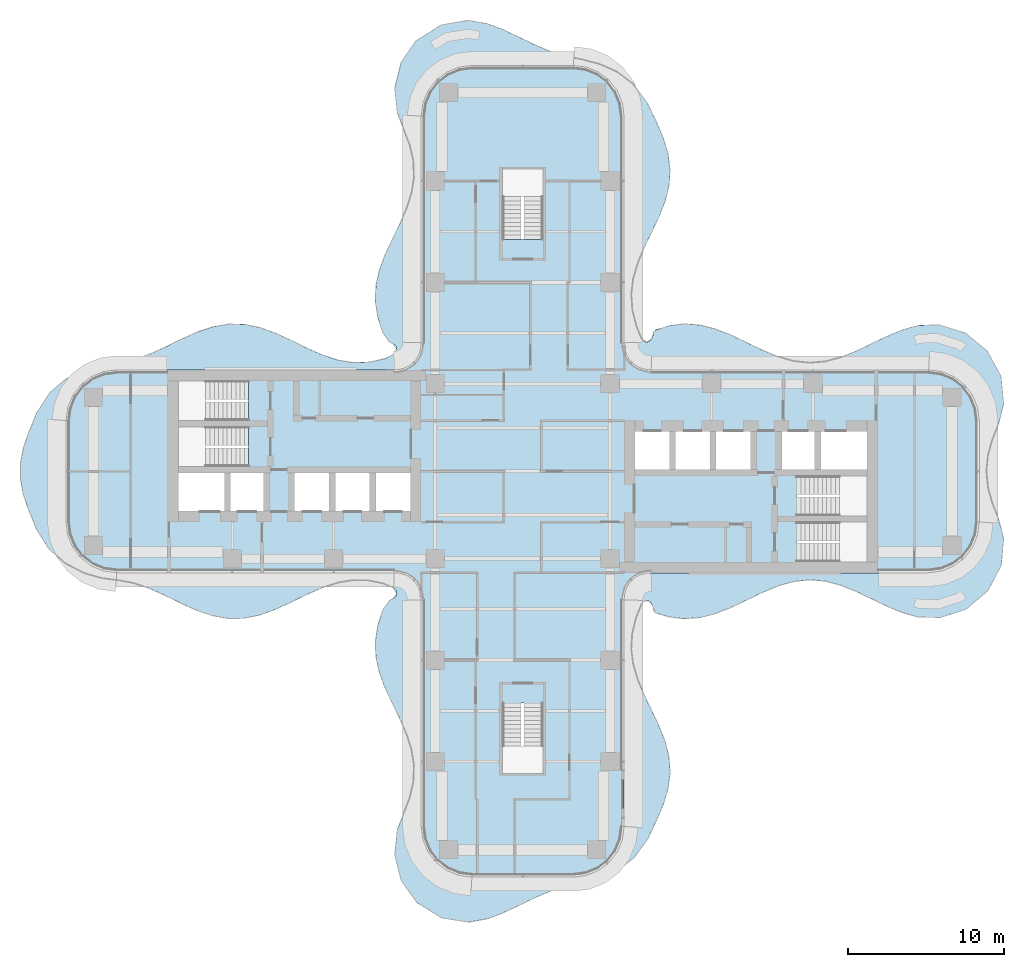
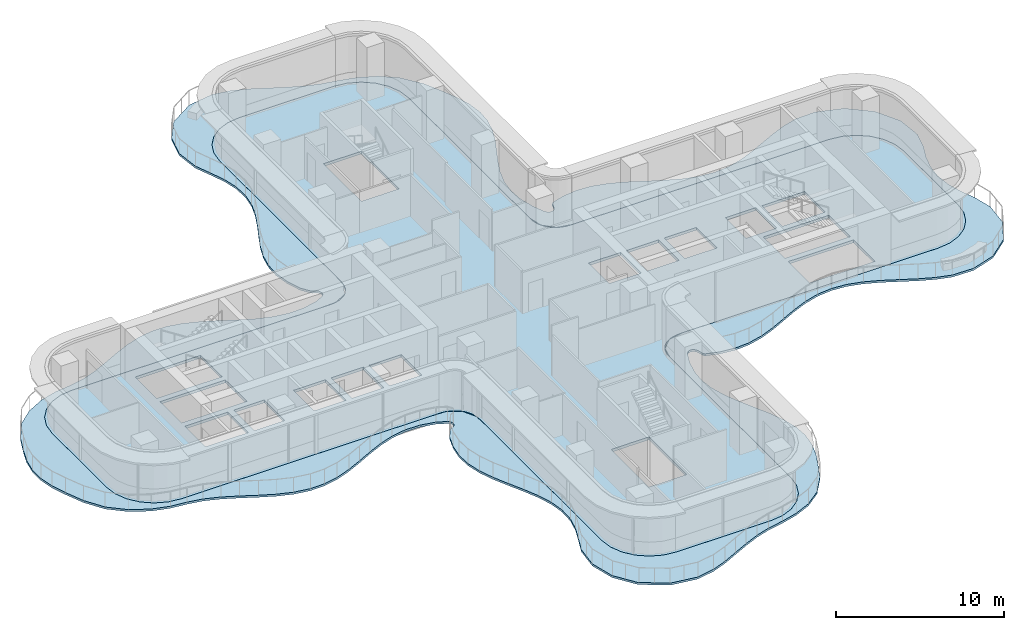
# One storey, part 10 of 18: 2 slabs.
"""IFC4 building model written with IfcOpenShell, lengths in metres."""

from ifc_helpers import new_model, si_unit, direction, frame, origin, place, context, subcontext, project, spatial, polyline, outline, extrude, source, transform, mapped, material, layer, layer_set, type_object, element, save


model = new_model("IFC4")

# Units and contexts
model_context = context("Model", 3, precision=1e-05, world=origin(), true_north=direction((0.0, 1.0)))
body_context = subcontext(model_context, "Body", "Model", "MODEL_VIEW")
ifc_project = project(units=[si_unit("LENGTHUNIT", "METRE"), si_unit("AREAUNIT", "SQUARE_METRE"), si_unit("VOLUMEUNIT", "CUBIC_METRE"), si_unit("PLANEANGLEUNIT", "RADIAN"), si_unit("MASSUNIT", "GRAM", prefix="KILO")], contexts=[model_context])

# Site, building, storey
site_placement = place(None, origin())
site = spatial("IfcSite", under=ifc_project, at=site_placement, CompositionType="ELEMENT")
building_placement = place(site_placement, origin())
building = spatial("IfcBuilding", under=site, at=building_placement, Name="Trellis Farm Tower", CompositionType="ELEMENT")
storey_placement = place(building_placement, frame((0.0, 0.0, 169.800048828125)))
storey = spatial("IfcBuildingStorey", under=building, at=storey_placement, Name="L36", CompositionType="ELEMENT", Elevation=169.800048828125)

# Slabs
ifc_material = material(Name="Concrete C40/50", Category="concrete")
ifc_layer_1 = layer(ifc_material, 0.14990234375)
ifc_layer_set_1 = layer_set([ifc_layer_1], Name="Balcony slab 150")
slab_type_1 = type_object("IfcSlabType", Name="Balcony slab 150", PredefinedType="FLOOR", material=ifc_layer_set_1)
slab_1_placement = place(storey_placement, frame((0.0, 0.0, -0.150146484375)))
element("IfcSlab", 1, at=slab_1_placement, inside=storey, type_object=slab_type_1, Name="Balcony slab", PredefinedType="FLOOR", context=body_context, shape_type="SweptSolid", body=[
    extrude(outline(polyline([(4.904541015625, -26.0986328125), (3.811279296875, -26.384033203125), (3.802734375, -26.385986328125), (2.73388671875, -26.59912109375), (2.726318359375, -26.60107421875), (1.7705078125, -26.897216796875), (1.762939453125, -26.89990234375), (0.743408203125, -27.33837890625), (0.74072265625, -27.339599609375), (-1.237060546875, -28.286376953125), (-1.248779296875, -28.291259765625), (-2.220947265625, -28.6591796875), (-2.247314453125, -28.66650390625), (-3.439697265625, -28.883056640625), (-3.48974609375, -28.8837890625), (-5.122802734375, -28.627685546875), (-5.15185546875, -28.6201171875), (-5.18798828125, -28.606689453125), (-5.21484375, -28.593505859375), (-6.77001953125, -27.62890625), (-6.794189453125, -27.6103515625), (-6.822509765625, -27.58349609375), (-6.842529296875, -27.560302734375), (-7.764404296875, -26.239501953125), (-7.77783203125, -26.2158203125), (-7.79248046875, -26.18359375), (-7.801513671875, -26.157958984375), (-8.19140625, -24.603271484375), (-8.195556640625, -24.577392578125), (-8.197998046875, -24.543701171875), (-8.197509765625, -24.51708984375), (-8.03271484375, -22.9794921875), (-8.023193359375, -22.940185546875), (-7.593017578125, -21.85205078125), (-7.592529296875, -21.8505859375), (-7.228759765625, -20.87646484375), (-7.225830078125, -20.86669921875), (-7.0048828125, -19.8876953125), (-7.0029296875, -19.8740234375), (-6.964599609375, -18.824951171875), (-6.96533203125, -18.810546875), (-7.120361328125, -17.830810546875), (-7.123046875, -17.819580078125), (-7.4267578125, -16.873046875), (-7.429443359375, -16.865966796875), (-7.868408203125, -15.861328125), (-7.86962890625, -15.8583984375), (-8.36083984375, -14.853759765625), (-8.3623046875, -14.85107421875), (-8.8193359375, -13.866943359375), (-8.82421875, -13.855712890625), (-9.185302734375, -12.876953125), (-9.191162109375, -12.85693359375), (-9.40234375, -11.885498046875), (-9.40576171875, -11.8583984375), (-9.4375, -10.88818359375), (-9.435791015625, -10.85986328125), (-9.28173828125, -9.88330078125), (-9.2763671875, -9.8603515625), (-8.966796875, -8.90576171875), (-8.947021484375, -8.8662109375), (-8.55615234375, -8.307373046875), (-8.525634765625, -8.275390625), (-8.484619140625, -8.242919921875), (-8.447509765625, -8.2216796875), (-8.299560546875, -8.16259765625), (-8.280517578125, -8.151611328125), (-8.147216796875, -8.04443359375), (-8.123291015625, -8.009033203125), (-8.0751953125, -7.854736328125), (-8.07373046875, -7.815673828125), (-8.116455078125, -7.635986328125), (-8.138916015625, -7.5986328125), (-8.258056640625, -7.491455078125), (-8.2763671875, -7.479248046875), (-8.895751953125, -7.1904296875), (-8.91259765625, -7.184814453125), (-9.88623046875, -6.9873046875), (-9.89990234375, -6.98583984375), (-10.885498046875, -6.969970703125), (-10.8994140625, -6.970947265625), (-11.87939453125, -7.1396484375), (-11.89013671875, -7.142333984375), (-12.83837890625, -7.457275390625), (-12.84521484375, -7.459716796875), (-13.850341796875, -7.905517578125), (-13.852783203125, -7.90673828125), (-14.85302734375, -8.396484375), (-14.8564453125, -8.398193359375), (-15.843017578125, -8.8515625), (-15.855224609375, -8.856689453125), (-16.857421875, -9.214599609375), (-16.8779296875, -9.220458984375), (-17.824951171875, -9.411865234375), (-17.85205078125, -9.414794921875), (-18.822509765625, -9.43212890625), (-18.85107421875, -9.429931640625), (-19.853759765625, -9.255859375), (-19.876220703125, -9.25), (-20.8525390625, -8.919677734375), (-20.865966796875, -8.91455078125), (-21.845703125, -8.47509765625), (-21.850341796875, -8.472900390625), (-22.853515625, -7.9814453125), (-22.85546875, -7.98046875), (-23.86083984375, -7.522705078125), (-23.8671875, -7.52001953125), (-24.868896484375, -7.170166015625), (-24.87939453125, -7.16748046875), (-25.872314453125, -6.976806640625), (-25.87744140625, -6.97607421875), (-26.935546875, -6.847412109375), (-26.95849609375, -6.8427734375), (-28.07470703125, -6.52490234375), (-28.10205078125, -6.51416015625), (-29.235595703125, -5.933349609375), (-29.26513671875, -5.91357421875), (-30.319580078125, -5.004638671875), (-30.348388671875, -4.971435546875), (-31.1240234375, -3.75), (-31.13623046875, -3.726318359375), (-31.63623046875, -2.506103515625), (-31.63916015625, -2.498291015625), (-31.986083984375, -1.49658203125), (-31.99169921875, -1.474853515625), (-32.173095703125, -0.4970703125), (-32.17578125, -0.46923828125), (-32.1728515625, 0.501708984375), (-32.170166015625, 0.529296875), (-31.985107421875, 1.500244140625), (-31.9794921875, 1.521484375), (-31.63916015625, 2.49853515625), (-31.636474609375, 2.505615234375), (-31.15087890625, 3.6982421875), (-31.13818359375, 3.722412109375), (-30.31494140625, 5.01025390625), (-30.2861328125, 5.043212890625), (-29.298583984375, 5.89111328125), (-29.269775390625, 5.91064453125), (-28.102294921875, 6.513916015625), (-28.074462890625, 6.52490234375), (-26.95849609375, 6.8427734375), (-26.935791015625, 6.847412109375), (-25.853759765625, 6.979736328125), (-25.848388671875, 6.980712890625), (-24.8291015625, 7.180908203125), (-24.818603515625, 7.183837890625), (-23.838134765625, 7.53173828125), (-23.83203125, 7.5341796875), (-22.8466796875, 7.984619140625), (-22.844970703125, 7.985595703125), (-21.8505859375, 8.472900390625), (-21.845703125, 8.47509765625), (-20.850341796875, 8.920654296875), (-20.8369140625, 8.92578125), (-19.850341796875, 9.256591796875), (-19.827880859375, 9.26220703125), (-18.850830078125, 9.429931640625), (-18.82275390625, 9.43212890625), (-17.85205078125, 9.414794921875), (-17.82470703125, 9.411865234375), (-16.853759765625, 9.213623046875), (-16.8330078125, 9.207763671875), (-15.85498046875, 8.856689453125), (-15.843017578125, 8.851806640625), (-14.8564453125, 8.398193359375), (-14.85302734375, 8.396484375), (-13.852783203125, 7.906494140625), (-13.850341796875, 7.905517578125), (-12.87744140625, 7.472412109375), (-12.87060546875, 7.469482421875), (-11.838134765625, 7.12939453125), (-11.82666015625, 7.126708984375), (-10.833984375, 6.96630859375), (-10.81982421875, 6.96533203125), (-9.836181640625, 6.9931640625), (-9.822509765625, 6.994873046875), (-8.83154296875, 7.21240234375), (-8.81494140625, 7.218017578125), (-8.27587890625, 7.479248046875), (-8.25830078125, 7.490966796875), (-8.138916015625, 7.5986328125), (-8.116455078125, 7.635986328125), (-8.07373046875, 7.815673828125), (-8.0751953125, 7.854736328125), (-8.123291015625, 8.009033203125), (-8.147216796875, 8.04443359375), (-8.280517578125, 8.151611328125), (-8.299560546875, 8.16259765625), (-8.447509765625, 8.2216796875), (-8.484619140625, 8.242919921875), (-8.525634765625, 8.275390625), (-8.55615234375, 8.307373046875), (-8.947021484375, 8.8662109375), (-8.966796875, 8.90576171875), (-9.2763671875, 9.8603515625), (-9.28173828125, 9.88330078125), (-9.435791015625, 10.85986328125), (-9.4375, 10.88818359375), (-9.40576171875, 11.8583984375), (-9.40234375, 11.885498046875), (-9.191162109375, 12.85693359375), (-9.185302734375, 12.876953125), (-8.82421875, 13.855712890625), (-8.8193359375, 13.866943359375), (-8.3623046875, 14.85107421875), (-8.36083984375, 14.853759765625), (-7.86962890625, 15.8583984375), (-7.868408203125, 15.861328125), (-7.429443359375, 16.865966796875), (-7.4267578125, 16.873046875), (-7.123046875, 17.819580078125), (-7.120361328125, 17.830810546875), (-6.96533203125, 18.810546875), (-6.964599609375, 18.824951171875), (-7.0029296875, 19.8740234375), (-7.0048828125, 19.8876953125), (-7.225830078125, 20.86669921875), (-7.228759765625, 20.87646484375), (-7.592529296875, 21.8505859375), (-7.593017578125, 21.85205078125), (-8.023193359375, 22.940185546875), (-8.03271484375, 22.9794921875), (-8.197509765625, 24.51708984375), (-8.197998046875, 24.543701171875), (-8.195556640625, 24.577392578125), (-8.19140625, 24.603271484375), (-7.801513671875, 26.157958984375), (-7.79248046875, 26.18359375), (-7.77783203125, 26.2158203125), (-7.764404296875, 26.239501953125), (-6.842529296875, 27.560302734375), (-6.822509765625, 27.58349609375), (-6.794189453125, 27.6103515625), (-6.77001953125, 27.62890625), (-5.21484375, 28.593505859375), (-5.18798828125, 28.606689453125), (-5.15185546875, 28.6201171875), (-5.122802734375, 28.627685546875), (-3.489501953125, 28.8837890625), (-3.43994140625, 28.88330078125), (-2.27685546875, 28.6748046875), (-2.25048828125, 28.667724609375), (-1.2490234375, 28.291259765625), (-1.237060546875, 28.2861328125), (0.74072265625, 27.339599609375), (0.743408203125, 27.33837890625), (1.762939453125, 26.89990234375), (1.7705078125, 26.897216796875), (2.726318359375, 26.60107421875), (2.73388671875, 26.59912109375), (3.802734375, 26.385986328125), (3.811279296875, 26.384033203125), (4.904541015625, 26.0986328125), (4.927001953125, 26.0908203125), (6.022216796875, 25.609619140625), (6.05224609375, 25.592041015625), (7.06396484375, 24.8291015625), (7.09375, 24.798828125), (7.98046875, 23.60888671875), (7.99560546875, 23.58349609375), (8.580078125, 22.353271484375), (8.58251953125, 22.347900390625), (9.01025390625, 21.34716796875), (9.015869140625, 21.331298828125), (9.3125, 20.34716796875), (9.317626953125, 20.322998046875), (9.443603515625, 19.347900390625), (9.444580078125, 19.3193359375), (9.38427734375, 18.34912109375), (9.380126953125, 18.322998046875), (9.143310546875, 17.3505859375), (9.137451171875, 17.33203125), (8.757568359375, 16.352294921875), (8.7529296875, 16.341796875), (7.803955078125, 14.364013671875), (7.802490234375, 14.36083984375), (7.38427734375, 13.377197265625), (7.38134765625, 13.369140625), (7.075439453125, 12.33349609375), (7.072998046875, 12.321044921875), (6.955322265625, 11.33056640625), (6.955078125, 11.31640625), (7.02587890625, 10.333984375), (7.028076171875, 10.3212890625), (7.27490234375, 9.341064453125), (7.278076171875, 9.33154296875), (7.605712890625, 8.51318359375), (7.61962890625, 8.4912109375), (7.7578125, 8.338134765625), (7.79541015625, 8.31591796875), (7.9423828125, 8.28125), (7.982177734375, 8.282958984375), (8.118896484375, 8.327880859375), (8.151123046875, 8.34912109375), (8.2529296875, 8.465087890625), (8.263916015625, 8.481689453125), (8.30078125, 8.5576171875), (8.306396484375, 8.572509765625), (8.401611328125, 8.960205078125), (8.50341796875, 9.067626953125), (9.33349609375, 9.322265625), (9.359375, 9.327880859375), (10.32958984375, 9.445068359375), (10.358154296875, 9.44580078125), (11.3310546875, 9.376708984375), (11.357177734375, 9.37255859375), (12.33837890625, 9.125), (12.35693359375, 9.119140625), (13.347412109375, 8.72802734375), (13.357421875, 8.723876953125), (15.345703125, 7.768798828125), (15.349365234375, 7.76708984375), (16.37109375, 7.343017578125), (16.37939453125, 7.340087890625), (17.377685546875, 7.059814453125), (17.390380859375, 7.057373046875), (18.380126953125, 6.9541015625), (18.394287109375, 6.953857421875), (19.376220703125, 7.039306640625), (19.388671875, 7.04150390625), (20.3681640625, 7.300048828125), (20.376953125, 7.302978515625), (21.359375, 7.697265625), (21.364013671875, 7.69921875), (23.34130859375, 8.650146484375), (23.34912109375, 8.653564453125), (24.350341796875, 9.066162109375), (24.367919921875, 9.072265625), (25.35205078125, 9.34228515625), (25.38818359375, 9.347412109375), (26.6748046875, 9.3779296875), (26.7236328125, 9.37109375), (28.349609375, 8.85693359375), (28.376708984375, 8.84521484375), (28.4091796875, 8.8271484375), (28.43310546875, 8.810791015625), (29.76953125, 7.68798828125), (29.789794921875, 7.66748046875), (29.813232421875, 7.638427734375), (29.8291015625, 7.6142578125), (30.6337890625, 6.09228515625), (30.64501953125, 6.065185546875), (30.65576171875, 6.029541015625), (30.661376953125, 6.0), (30.81201171875, 4.35498046875), (30.80810546875, 4.30419921875), (30.4833984375, 3.03125), (30.477294921875, 3.012451171875), (30.07861328125, 2.021240234375), (30.075927734375, 2.01318359375), (29.8056640625, 1.0341796875), (29.803466796875, 1.02197265625), (29.7041015625, 0.040771484375), (29.703857421875, 0.026123046875), (29.803466796875, -1.021484375), (29.8056640625, -1.034423828125), (30.075927734375, -2.01318359375), (30.07861328125, -2.021240234375), (30.477294921875, -3.012451171875), (30.4833984375, -3.03125), (30.80810546875, -4.30419921875), (30.81201171875, -4.35498046875), (30.661376953125, -6.0), (30.65576171875, -6.029541015625), (30.64501953125, -6.065185546875), (30.6337890625, -6.09228515625), (29.8291015625, -7.6142578125), (29.813232421875, -7.638427734375), (29.789794921875, -7.66748046875), (29.76953125, -7.68798828125), (28.43310546875, -8.810791015625), (28.4091796875, -8.8271484375), (28.37646484375, -8.845458984375), (28.349853515625, -8.85693359375), (26.78125, -9.362548828125), (26.732177734375, -9.369873046875), (25.34619140625, -9.341064453125), (25.30859375, -9.33544921875), (24.34765625, -9.0654296875), (24.3310546875, -9.0595703125), (23.348876953125, -8.653564453125), (23.34130859375, -8.650146484375), (21.364013671875, -7.69921875), (21.359375, -7.697265625), (20.376953125, -7.302978515625), (20.3681640625, -7.300048828125), (19.388671875, -7.04150390625), (19.376220703125, -7.039306640625), (18.394287109375, -6.953857421875), (18.380126953125, -6.9541015625), (17.390380859375, -7.057373046875), (17.377685546875, -7.059814453125), (16.37939453125, -7.340087890625), (16.37109375, -7.343017578125), (15.349365234375, -7.76708984375), (15.345703125, -7.768798828125), (13.357421875, -8.723876953125), (13.347412109375, -8.72802734375), (12.35693359375, -9.119140625), (12.33837890625, -9.125), (11.357177734375, -9.37255859375), (11.3310546875, -9.376708984375), (10.358154296875, -9.44580078125), (10.32958984375, -9.445068359375), (9.359375, -9.327880859375), (9.33349609375, -9.322265625), (8.50341796875, -9.067626953125), (8.401611328125, -8.960205078125), (8.306396484375, -8.572509765625), (8.30078125, -8.5576171875), (8.263916015625, -8.481689453125), (8.2529296875, -8.465087890625), (8.151123046875, -8.34912109375), (8.118896484375, -8.327880859375), (7.981689453125, -8.282958984375), (7.94287109375, -8.281005859375), (7.8046875, -8.311279296875), (7.766845703125, -8.3330078125), (7.6201171875, -8.49072265625), (7.60546875, -8.513916015625), (7.263427734375, -9.377197265625), (7.26025390625, -9.386962890625), (7.0185546875, -10.382080078125), (7.0166015625, -10.395263671875), (6.956787109375, -11.38330078125), (6.957275390625, -11.397216796875), (7.072998046875, -12.3212890625), (7.075439453125, -12.333251953125), (7.38134765625, -13.369140625), (7.38427734375, -13.377197265625), (7.802490234375, -14.36083984375), (7.803955078125, -14.364013671875), (8.7529296875, -16.341796875), (8.757568359375, -16.352294921875), (9.137451171875, -17.33203125), (9.143310546875, -17.3505859375), (9.380126953125, -18.322998046875), (9.38427734375, -18.34912109375), (9.444580078125, -19.319091796875), (9.443603515625, -19.347900390625), (9.311767578125, -20.350830078125), (9.306396484375, -20.375), (9.00927734375, -21.349609375), (9.003662109375, -21.364990234375), (8.58251953125, -22.34814453125), (8.580078125, -22.35302734375), (8.012939453125, -23.5546875), (7.998291015625, -23.57958984375), (7.12890625, -24.762939453125), (7.09912109375, -24.79345703125), (6.052490234375, -25.591552734375), (6.02197265625, -25.609619140625), (4.927001953125, -26.0908203125), (4.904541015625, -26.0986328125)]), holes=[polyline([(-7.816650390625, -6.56640625), (-7.064453125, -6.959228515625), (-7.02783203125, -6.986083984375), (-6.988037109375, -7.02587890625), (-6.961181640625, -7.0625), (-6.5673828125, -7.81396484375), (-6.555419921875, -7.8447265625), (-6.54443359375, -7.885498046875), (-6.539306640625, -7.918212890625), (-6.50048828125, -8.84814453125), (-6.50048828125, -22.75), (-6.389892578125, -23.59130859375), (-6.065185546875, -24.375244140625), (-5.548583984375, -25.048583984375), (-4.875244140625, -25.565185546875), (-4.09130859375, -25.889892578125), (-3.25, -26.00048828125), (3.25, -26.00048828125), (4.09130859375, -25.889892578125), (4.875244140625, -25.565185546875), (5.548583984375, -25.048583984375), (6.065185546875, -24.375244140625), (6.389892578125, -23.59130859375), (6.50048828125, -22.75), (6.50048828125, -8.386962890625), (6.503173828125, -8.362548828125), (6.68798828125, -7.46533203125), (6.702880859375, -7.424072265625), (6.728515625, -7.376953125), (6.75439453125, -7.34228515625), (7.344482421875, -6.753173828125), (7.379150390625, -6.727294921875), (7.426513671875, -6.70166015625), (7.4677734375, -6.686767578125), (8.365234375, -6.5029296875), (8.389404296875, -6.50048828125), (26.0, -6.50048828125), (26.84130859375, -6.389892578125), (27.625244140625, -6.065185546875), (28.298583984375, -5.548583984375), (28.815185546875, -4.875244140625), (29.139892578125, -4.09130859375), (29.25048828125, -3.25), (29.25048828125, 3.25), (29.139892578125, 4.09130859375), (28.815185546875, 4.875244140625), (28.298583984375, 5.548583984375), (27.625244140625, 6.065185546875), (26.84130859375, 6.389892578125), (26.0, 6.50048828125), (8.389404296875, 6.50048828125), (8.365234375, 6.5029296875), (7.4677734375, 6.686767578125), (7.426513671875, 6.70166015625), (7.379150390625, 6.727294921875), (7.344482421875, 6.753173828125), (6.75439453125, 7.34228515625), (6.728515625, 7.376953125), (6.702880859375, 7.424072265625), (6.68798828125, 7.46533203125), (6.503173828125, 8.362548828125), (6.50048828125, 8.386962890625), (6.50048828125, 22.75), (6.389892578125, 23.59130859375), (6.065185546875, 24.375244140625), (5.548583984375, 25.048583984375), (4.875244140625, 25.565185546875), (4.09130859375, 25.889892578125), (3.25, 26.00048828125), (-3.25, 26.00048828125), (-4.09130859375, 25.889892578125), (-4.875244140625, 25.565185546875), (-5.548583984375, 25.048583984375), (-6.065185546875, 24.375244140625), (-6.389892578125, 23.59130859375), (-6.50048828125, 22.75), (-6.50048828125, 8.844482421875), (-6.539306640625, 7.918212890625), (-6.544189453125, 7.8857421875), (-6.555419921875, 7.8447265625), (-6.5673828125, 7.81396484375), (-6.961181640625, 7.0625), (-6.988037109375, 7.02587890625), (-7.02783203125, 6.986083984375), (-7.064453125, 6.959228515625), (-7.816650390625, 6.56640625), (-7.847412109375, 6.5546875), (-7.88818359375, 6.543701171875), (-7.9208984375, 6.538818359375), (-8.84716796875, 6.50048828125), (-26.0, 6.50048828125), (-26.84130859375, 6.389892578125), (-27.625244140625, 6.065185546875), (-28.298583984375, 5.548583984375), (-28.815185546875, 4.875244140625), (-29.139892578125, 4.09130859375), (-29.25048828125, 3.25), (-29.25048828125, -3.25), (-29.139892578125, -4.09130859375), (-28.815185546875, -4.875244140625), (-28.298583984375, -5.548583984375), (-27.625244140625, -6.065185546875), (-26.84130859375, -6.389892578125), (-26.0, -6.50048828125), (-8.8505859375, -6.50048828125), (-7.9208984375, -6.538818359375), (-7.88818359375, -6.543701171875), (-7.847412109375, -6.5546875), (-7.816650390625, -6.56640625)])]), origin(), (0.0, 0.0, 1.0), 0.150146484375),
])
ifc_layer_2 = layer(ifc_material, 0.199951171875)
ifc_layer_set_2 = layer_set([ifc_layer_2], Name="Composite deck floor slab 200")
slab_type_2 = type_object("IfcSlabType", Name="Composite deck floor slab 200", PredefinedType="FLOOR", material=ifc_layer_set_2)
shared_shape = source(origin(), body_context, "Body", "SweptSolid", [
    extrude(outline(polyline([(-26.84130859375, -6.389404296875), (-27.625, -6.064697265625), (-28.298095703125, -5.548095703125), (-28.814697265625, -4.875), (-29.139404296875, -4.09130859375), (-29.25, -3.25), (-29.25, 3.25), (-29.139404296875, 4.09130859375), (-28.814697265625, 4.875), (-28.298095703125, 5.548095703125), (-27.625, 6.064697265625), (-26.84130859375, 6.389404296875), (-26.0, 6.5), (-8.2314453125, 6.5), (-8.01953125, 6.513916015625), (-7.91552734375, 6.527587890625), (-7.508544921875, 6.63671875), (-7.144287109375, 6.846923828125), (-6.846923828125, 7.144287109375), (-6.63671875, 7.508544921875), (-6.527587890625, 7.91552734375), (-6.513916015625, 8.01953125), (-6.5, 8.2314453125), (-6.5, 22.75), (-6.389404296875, 23.59130859375), (-6.064697265625, 24.375), (-5.548095703125, 25.048095703125), (-4.875, 25.564697265625), (-4.09130859375, 25.889404296875), (-3.25, 26.0), (3.25, 26.0), (4.09130859375, 25.889404296875), (4.875, 25.564697265625), (5.548095703125, 25.048095703125), (6.064697265625, 24.375), (6.389404296875, 23.59130859375), (6.5, 22.75), (6.5, 8.2314453125), (6.513916015625, 8.01953125), (6.527587890625, 7.91552734375), (6.63671875, 7.508544921875), (6.846923828125, 7.144287109375), (7.144287109375, 6.846923828125), (7.508544921875, 6.63671875), (7.91552734375, 6.527587890625), (8.01953125, 6.513916015625), (8.2314453125, 6.5), (26.0, 6.5), (26.84130859375, 6.389404296875), (27.625, 6.064697265625), (28.298095703125, 5.548095703125), (28.814697265625, 4.875), (29.139404296875, 4.09130859375), (29.25, 3.25), (29.25, -3.25), (29.139404296875, -4.09130859375), (28.814697265625, -4.875), (28.298095703125, -5.548095703125), (27.625, -6.064697265625), (26.84130859375, -6.389404296875), (26.0, -6.5), (8.2314453125, -6.5), (8.01953125, -6.513916015625), (7.91552734375, -6.527587890625), (7.508544921875, -6.63671875), (7.144287109375, -6.846923828125), (6.846923828125, -7.144287109375), (6.63671875, -7.508544921875), (6.527587890625, -7.91552734375), (6.513916015625, -8.01953125), (6.5, -8.2314453125), (6.5, -22.75), (6.389404296875, -23.59130859375), (6.064697265625, -24.375), (5.548095703125, -25.048095703125), (4.875, -25.564697265625), (4.09130859375, -25.889404296875), (3.25, -26.0), (-3.25, -26.0), (-4.09130859375, -25.889404296875), (-4.875, -25.564697265625), (-5.548095703125, -25.048095703125), (-6.064697265625, -24.375), (-6.389404296875, -23.59130859375), (-6.5, -22.75), (-6.5, -8.2314453125), (-6.513916015625, -8.01953125), (-6.527587890625, -7.91552734375), (-6.63671875, -7.508544921875), (-6.846923828125, -7.144287109375), (-7.144287109375, -6.846923828125), (-7.508544921875, -6.63671875), (-7.91552734375, -6.527587890625), (-8.01953125, -6.513916015625), (-8.2314453125, -6.5), (-26.0, -6.5), (-26.84130859375, -6.389404296875)]), holes=[polyline([(-22.050048828125, -0.10009765625), (-22.050048828125, -2.550048828125), (-19.10009765625, -2.550048828125), (-19.10009765625, -0.10009765625), (-22.050048828125, -0.10009765625)]), polyline([(-18.699951171875, -0.10009765625), (-18.699951171875, -2.550048828125), (-16.60009765625, -2.550048828125), (-16.60009765625, -0.10009765625), (-18.699951171875, -0.10009765625)]), polyline([(-14.60009765625, -0.10009765625), (-14.60009765625, -2.550048828125), (-12.39990234375, -2.550048828125), (-12.39990234375, -0.10009765625), (-14.60009765625, -0.10009765625)]), polyline([(-12.0, -0.10009765625), (-12.0, -2.550048828125), (-9.800048828125, -2.550048828125), (-9.800048828125, -0.10009765625), (-12.0, -0.10009765625)]), polyline([(-9.39990234375, -0.10009765625), (-9.39990234375, -2.550048828125), (-7.199951171875, -2.550048828125), (-7.199951171875, -0.10009765625), (-9.39990234375, -0.10009765625)]), polyline([(-17.56201171875, 1.64990234375), (-17.56201171875, 2.85009765625), (-22.050048828125, 2.85009765625), (-22.050048828125, 0.300048828125), (-17.56005859375, 0.300048828125), (-17.56005859375, 1.5), (-17.550048828125, 1.5), (-17.550048828125, 1.64990234375), (-17.56201171875, 1.64990234375)]), polyline([(-17.56201171875, 4.60009765625), (-17.56201171875, 5.800048828125), (-22.050048828125, 5.800048828125), (-22.050048828125, 3.25), (-17.56005859375, 3.25), (-17.56005859375, 4.449951171875), (-17.550048828125, 4.449951171875), (-17.550048828125, 4.60009765625), (-17.56201171875, 4.60009765625)]), polyline([(0.10009765625, 14.862060546875), (1.300048828125, 14.862060546875), (1.300048828125, 19.35009765625), (-1.300048828125, 19.35009765625), (-1.300048828125, 14.860107421875), (-0.10009765625, 14.860107421875), (-0.10009765625, 14.85009765625), (0.10009765625, 14.85009765625), (0.10009765625, 14.862060546875)]), polyline([(-0.10009765625, -14.862060546875), (-1.300048828125, -14.862060546875), (-1.300048828125, -19.35009765625), (1.300048828125, -19.35009765625), (1.300048828125, -14.860107421875), (0.10009765625, -14.860107421875), (0.10009765625, -14.85009765625), (-0.10009765625, -14.85009765625), (-0.10009765625, -14.862060546875)]), polyline([(17.56201171875, -4.60009765625), (17.56201171875, -5.800048828125), (22.050048828125, -5.800048828125), (22.050048828125, -3.25), (17.56005859375, -3.25), (17.56005859375, -4.449951171875), (17.550048828125, -4.449951171875), (17.550048828125, -4.60009765625), (17.56201171875, -4.60009765625)]), polyline([(17.56201171875, -1.64990234375), (17.56201171875, -2.85009765625), (22.050048828125, -2.85009765625), (22.050048828125, -0.300048828125), (17.56005859375, -0.300048828125), (17.56005859375, -1.5), (17.550048828125, -1.5), (17.550048828125, -1.64990234375), (17.56201171875, -1.64990234375)]), polyline([(9.39990234375, 0.10009765625), (9.39990234375, 2.550048828125), (7.199951171875, 2.550048828125), (7.199951171875, 0.10009765625), (9.39990234375, 0.10009765625)]), polyline([(12.0, 0.10009765625), (12.0, 2.550048828125), (9.800048828125, 2.550048828125), (9.800048828125, 0.10009765625), (12.0, 0.10009765625)]), polyline([(14.60009765625, 0.10009765625), (14.60009765625, 2.550048828125), (12.39990234375, 2.550048828125), (12.39990234375, 0.10009765625), (14.60009765625, 0.10009765625)]), polyline([(18.699951171875, 0.10009765625), (18.699951171875, 2.550048828125), (16.60009765625, 2.550048828125), (16.60009765625, 0.10009765625), (18.699951171875, 0.10009765625)]), polyline([(22.050048828125, 0.10009765625), (22.050048828125, 2.550048828125), (19.10009765625, 2.550048828125), (19.10009765625, 0.10009765625), (22.050048828125, 0.10009765625)])]), origin(), (0.0, 0.0, 1.0), 0.199951171875),
])
slab_2_placement = place(storey_placement, frame((0.0, 0.0, -0.199951171875)))
element("IfcSlab", 2, at=slab_2_placement, inside=storey, type_object=slab_type_2, Name="Floor slab", PredefinedType="FLOOR", context=body_context, shape_type="MappedRepresentation", body=[
    mapped(shared_shape, transform((0.0, 0.0, 0.0))),
])

save(model, "model.ifc")
